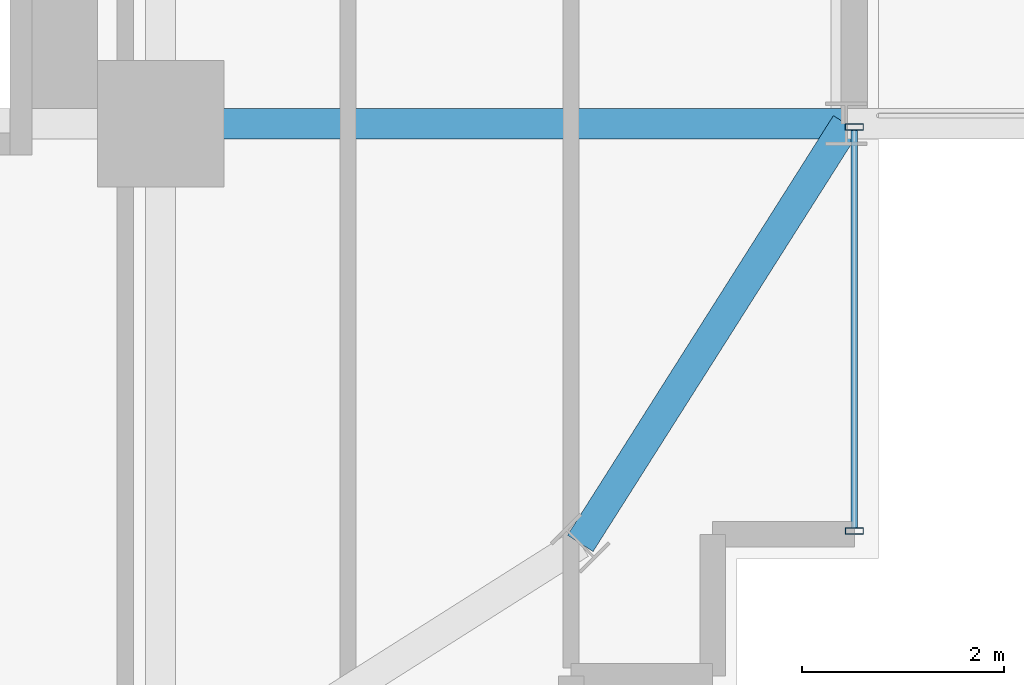
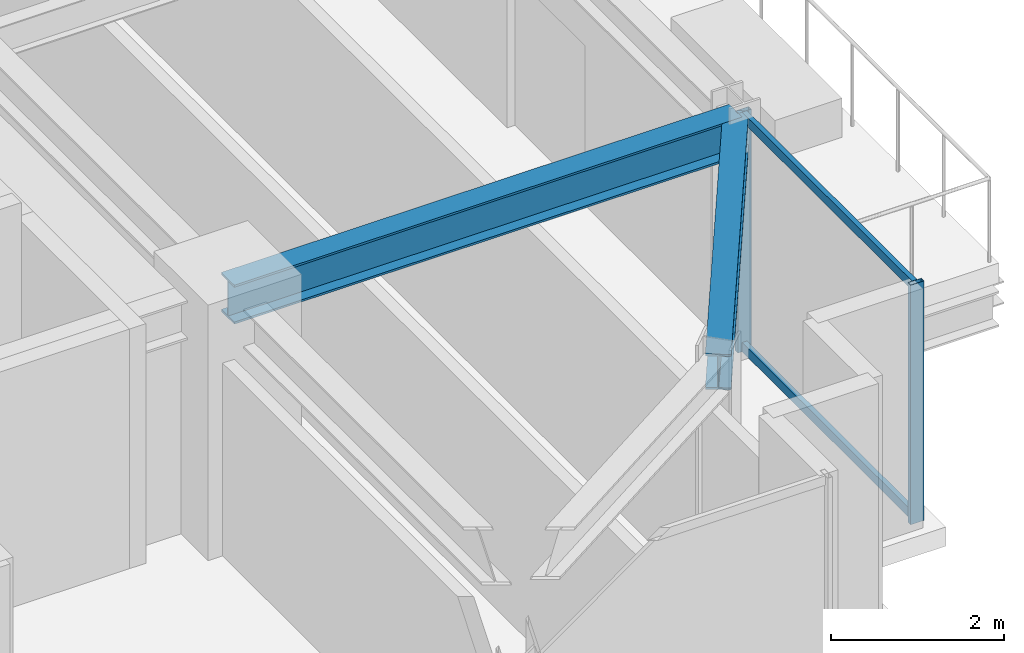
# One storey, part 11 of 34: 4 members, 2 beams, 1 element without a shape of its own.
"""IFC4 building model written with IfcOpenShell, lengths in metres."""

from ifc_helpers import new_model, si_unit, direction, frame, origin, origin_2d, place, context, subcontext, project, spatial, hollow_rectangle, i_section, extrude, source, transform, mapped, material, material_profile, profile_set, type_object, element, aggregate, save


model = new_model("IFC4")

# Units and contexts
model_context = context("Model", 3, precision=1e-05, world=origin(), true_north=direction((0.0, 1.0)))
body_context = subcontext(model_context, "Body", "Model", "MODEL_VIEW")
ifc_project = project(units=[si_unit("LENGTHUNIT", "METRE"), si_unit("AREAUNIT", "SQUARE_METRE"), si_unit("VOLUMEUNIT", "CUBIC_METRE"), si_unit("PLANEANGLEUNIT", "RADIAN"), si_unit("MASSUNIT", "GRAM", prefix="KILO")], contexts=[model_context])

# Site, building, storey
site_placement = place(None, origin())
site = spatial("IfcSite", under=ifc_project, at=site_placement, CompositionType="ELEMENT")
building_placement = place(site_placement, origin())
building = spatial("IfcBuilding", under=site, at=building_placement, Name="Nahalor Promenade Grand Hotel", CompositionType="ELEMENT")
storey_placement = place(building_placement, frame((0.0, 0.0, 99.25)))
storey = spatial("IfcBuildingStorey", under=building, at=storey_placement, Name="L24", CompositionType="ELEMENT", Elevation=99.25)

# Beams
ifc_material_1 = material(Name="Steel S355JR", Category="steel")
ifc_material_profile_1 = material_profile(ifc_material_1, i_section(OverallWidth=0.3, OverallDepth=0.5, WebThickness=0.0145, FlangeThickness=0.028, at=origin_2d()), Name="HEB 500")
ifc_profile_set_1 = profile_set([ifc_material_profile_1], Name="Steel S355JR")
beam_type_1 = type_object("IfcBeamType", Name="Beam-Spandrel-HEB500", PredefinedType="SPANDREL", material=ifc_profile_set_1)
shared_shape_1 = source(origin(), body_context, "Body", "SweptSolid", [
    extrude(i_section(OverallWidth=0.3, OverallDepth=0.5, WebThickness=0.0145, FlangeThickness=0.028, at=origin_2d()), origin(), (0.0, 0.0, 1.0), 4.9130859375),
])
beam_1_placement = place(storey_placement, frame((21.14990234375, -21.14990234375, 3.1298828125), z_axis=(0.535321591403, 0.844648325505, 0.0), x_axis=(-0.844648325505, 0.535321591403, 0.0)))
element("IfcBeam", 1, at=beam_1_placement, inside=storey, type_object=beam_type_1, Name="BM-L24-SPC-SE-2", PredefinedType="SPANDREL", context=body_context, shape_type="MappedRepresentation", body=[
    mapped(shared_shape_1, transform((0.0, 0.0, 0.0), scale=1.0)),
])
ifc_material_profile_2 = material_profile(ifc_material_1, i_section(OverallWidth=0.3, OverallDepth=0.55, WebThickness=0.015, FlangeThickness=0.029, at=origin_2d()), Name="HEB 550")
ifc_profile_set_2 = profile_set([ifc_material_profile_2], Name="Steel S355JR")
beam_type_2 = type_object("IfcBeamType", Name="Beam-Girder-HEB550", PredefinedType="BEAM", material=ifc_profile_set_2)
shared_shape_2 = source(origin(), body_context, "Body", "SweptSolid", [
    extrude(i_section(OverallWidth=0.3, OverallDepth=0.55, WebThickness=0.015, FlangeThickness=0.029, at=origin_2d()), origin(), (0.0, 0.0, 1.0), 6.780029296875),
])
beam_2_placement = place(storey_placement, frame((17.0, -17.0, 3.10498046875), z_axis=(1.0, 0.0, 0.0), x_axis=(0.0, 1.0, 0.0)))
element("IfcBeam", 2, at=beam_2_placement, inside=storey, type_object=beam_type_2, Name="BM-L24-GX-0-6", PredefinedType="BEAM", context=body_context, shape_type="MappedRepresentation", body=[
    mapped(shared_shape_2, transform((0.0, 0.0, 0.0), scale=1.0)),
])

# Curtain wall, members
ifc_material_2 = material(Name="Anodised Bronze Aluminium EN AW-6063 T6", Category="aluminium")
curtain_wall_type = type_object("IfcCurtainWallType", Name="CW2 Typical Hotel Flush Bronze Unitised Curtain Wall", PredefinedType="USERDEFINED", material=ifc_material_2)
curtain_wall_placement = place(storey_placement, origin())
curtain_wall = element("IfcCurtainWall", 3, at=curtain_wall_placement, inside=storey, type_object=curtain_wall_type, Name="L24 Curtain Wall CW-L24-E-1", ObjectType="UNITISED_CURTAIN_WALL", PredefinedType="USERDEFINED")
ifc_material_profile_3 = material_profile(ifc_material_2, hollow_rectangle(XDim=0.065, YDim=0.18, WallThickness=0.004, at=origin_2d()), Name="CWM 65x180x4")
ifc_profile_set_3 = profile_set([ifc_material_profile_3], Name="Anodised Bronze Aluminium EN AW-6063 T6")
member_type_1 = type_object("IfcMemberType", Name="CWM2 Typical Bronze Mullion 65x180", PredefinedType="MULLION", material=ifc_profile_set_3)
shared_shape_3 = source(origin(), body_context, "Body", "SweptSolid", [
    extrude(hollow_rectangle(XDim=0.065, YDim=0.18, WallThickness=0.004, at=origin_2d()), origin(), (0.0, 0.0, 1.0), 3.3798828125),
])
member_1_placement = place(storey_placement, frame((23.860107421875, -21.027587890625, 0.0), z_axis=(0.0, 0.0, 1.0), x_axis=(0.0, 1.0, 0.0)))
member_1 = element("IfcMember", 4, at=member_1_placement, type_object=member_type_1, Name="CW-L24-E-1 Mullion 0", PredefinedType="MULLION", context=body_context, shape_type="MappedRepresentation", body=[
    mapped(shared_shape_3, transform((0.0, 0.0, 0.0), scale=1.0)),
])
member_2_placement = place(storey_placement, frame((23.860107421875, -17.032470703125, 0.0), z_axis=(0.0, 0.0, 1.0), x_axis=(0.0, 1.0, 0.0)))
member_2 = element("IfcMember", 5, at=member_2_placement, type_object=member_type_1, Name="CW-L24-E-1 Mullion 1", PredefinedType="MULLION", context=body_context, shape_type="MappedRepresentation", body=[
    mapped(shared_shape_3, transform((0.0, 0.0, 0.0), scale=1.0)),
])
ifc_material_profile_4 = material_profile(ifc_material_2, hollow_rectangle(XDim=0.065, YDim=0.13, WallThickness=0.004, at=origin_2d()), Name="CWT 65x130x4")
ifc_profile_set_4 = profile_set([ifc_material_profile_4], Name="Anodised Bronze Aluminium EN AW-6063 T6")
member_type_2 = type_object("IfcMemberType", Name="CWT2 Typical Bronze Transom 65x130", PredefinedType="USERDEFINED", material=ifc_profile_set_4)
shared_shape_4 = source(origin(), body_context, "Body", "SweptSolid", [
    extrude(hollow_rectangle(XDim=0.065, YDim=0.13, WallThickness=0.004, at=origin_2d()), origin(), (0.0, 0.0, 1.0), 3.93017578125),
])
member_3_placement = place(storey_placement, frame((23.860107421875, -20.9951171875, 0.06494140625), z_axis=(0.0, 1.0, 0.0), x_axis=(-1.0, 0.0, 0.0)))
member_3 = element("IfcMember", 6, at=member_3_placement, type_object=member_type_2, Name="CW-L24-E-1 Transom 0-0", ObjectType="TRANSOM", PredefinedType="USERDEFINED", context=body_context, shape_type="MappedRepresentation", body=[
    mapped(shared_shape_4, transform((0.0, 0.0, 0.0), scale=1.0)),
])
member_4_placement = place(storey_placement, frame((23.860107421875, -20.9951171875, 3.31494140625), z_axis=(0.0, 1.0, 0.0), x_axis=(-1.0, 0.0, 0.0)))
member_4 = element("IfcMember", 7, at=member_4_placement, type_object=member_type_2, Name="CW-L24-E-1 Transom 0-1", ObjectType="TRANSOM", PredefinedType="USERDEFINED", context=body_context, shape_type="MappedRepresentation", body=[
    mapped(shared_shape_4, transform((0.0, 0.0, 0.0), scale=1.0)),
])
aggregate(curtain_wall, [member_1, member_2, member_3, member_4])

save(model, "model.ifc")
